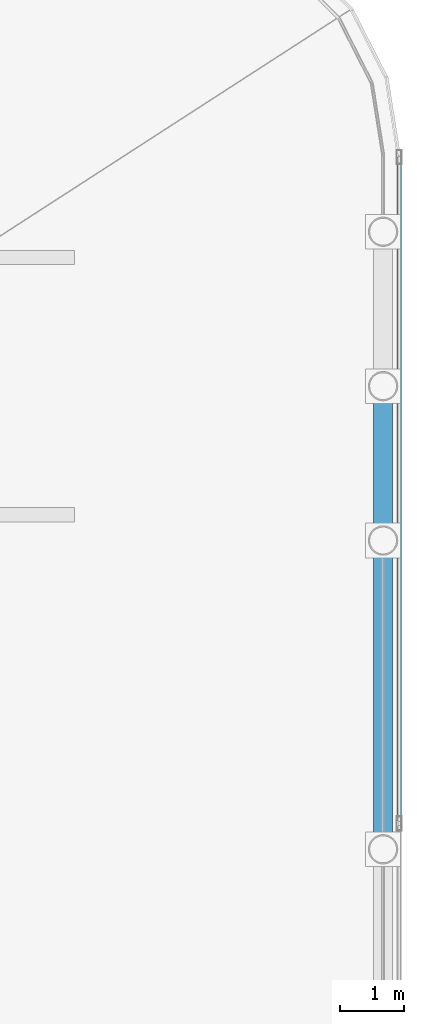
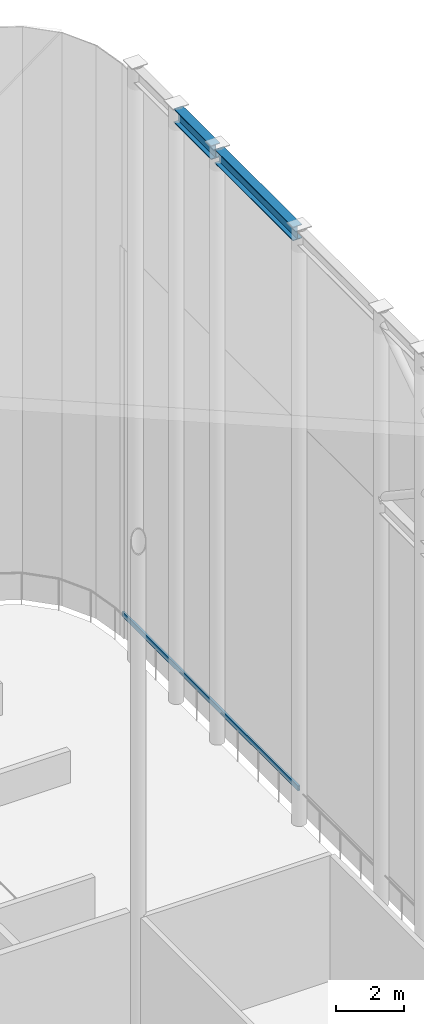
# One storey, part 23 of 42: 2 beams, 1 member, 1 element without a shape of its own.
"""IFC4 building model written with IfcOpenShell, lengths in metres."""

from ifc_helpers import new_model, si_unit, direction, frame, origin, origin_2d, place, context, subcontext, project, spatial, hollow_rectangle, i_section, extrude, material, layer, layer_set, material_profile, profile_set, type_object, element, aggregate, save


model = new_model("IFC4")

# Units and contexts
model_context = context("Model", 3, precision=1e-05, world=origin(), true_north=direction((0.0, 1.0)))
body_context = subcontext(model_context, "Body", "Model", "MODEL_VIEW")
ifc_project = project(units=[si_unit("LENGTHUNIT", "METRE"), si_unit("AREAUNIT", "SQUARE_METRE"), si_unit("VOLUMEUNIT", "CUBIC_METRE"), si_unit("PLANEANGLEUNIT", "RADIAN"), si_unit("MASSUNIT", "GRAM", prefix="KILO")], contexts=[model_context])

# Site, building, storey
site_placement = place(None, origin())
site = spatial("IfcSite", under=ifc_project, at=site_placement, CompositionType="ELEMENT")
building_placement = place(site_placement, origin())
building = spatial("IfcBuilding", under=site, at=building_placement, Name="Kallvorn Hotel Tower", CompositionType="ELEMENT")
storey_placement = place(building_placement, frame((0.0, 0.0, 306.0)))
storey = spatial("IfcBuildingStorey", under=building, at=storey_placement, Name="ROOF", CompositionType="ELEMENT", Elevation=306.0)

# Beams
ifc_material_1 = material(Name="Structural steel S355JR", Category="steel")
ifc_material_profile_1 = material_profile(ifc_material_1, i_section(OverallWidth=0.300048828125, OverallDepth=0.5, WebThickness=0.014404296875, FlangeThickness=0.028076171875, at=origin_2d()), Name="HE 500 B")
ifc_profile_set_1 = profile_set([ifc_material_profile_1], Name="Structural steel S355JR")
beam_type = type_object("IfcBeamType", Name="BM_HE500B", PredefinedType="SPANDREL", material=ifc_profile_set_1)
beam_1_placement = place(storey_placement, frame((24.0, 0.10009765625, 21.030029296875), z_axis=(0.0, 1.0, 0.0), x_axis=(-1.0, 0.0, 0.0)))
element("IfcBeam", 1, at=beam_1_placement, inside=storey, type_object=beam_type, Name="CROWN FRAME Top Ring Beam 30", PredefinedType="SPANDREL", context=body_context, shape_type="SweptSolid", body=[
    extrude(i_section(OverallWidth=0.300048828125, OverallDepth=0.5, WebThickness=0.014404296875, FlangeThickness=0.028076171875, at=origin_2d()), origin(), (0.0, 0.0, 1.0), 4.599853515625),
])
beam_2_placement = place(storey_placement, frame((24.0, 4.89990234375, 21.030029296875), z_axis=(0.0, 1.0, 0.0), x_axis=(-1.0, 0.0, 0.0)))
element("IfcBeam", 2, at=beam_2_placement, inside=storey, type_object=beam_type, Name="CROWN FRAME Top Ring Beam 31", PredefinedType="SPANDREL", context=body_context, shape_type="SweptSolid", body=[
    extrude(i_section(OverallWidth=0.300048828125, OverallDepth=0.5, WebThickness=0.014404296875, FlangeThickness=0.028076171875, at=origin_2d()), origin(), (0.0, 0.0, 1.0), 2.2001953125),
])

# Curtain wall, member
ifc_material_2 = material(Name="Thermally broken black-anodised aluminium AA 6063-T6", Category="aluminium")
ifc_layer = layer(ifc_material_2, 0.18994140625)
ifc_layer_set = layer_set([ifc_layer], Name="CW_SYS_7_CROWN_DRUM")
curtain_wall_type = type_object("IfcCurtainWallType", Name="CW_SYS_7_CROWN_DRUM", PredefinedType="USERDEFINED", material=ifc_layer_set)
curtain_wall_placement = place(storey_placement, origin())
curtain_wall = element("IfcCurtainWall", 3, at=curtain_wall_placement, inside=storey, type_object=curtain_wall_type, Name="ROOF Dark-Glass Curtain Wall CW-ROOF-E1", ObjectType="UNITISED CURTAIN WALL", PredefinedType="USERDEFINED")
ifc_material_3 = material(Name="Thermally broken black-anodised aluminium AA 6063-T6", Category="aluminium")
ifc_material_profile_2 = material_profile(ifc_material_3, hollow_rectangle(XDim=0.070068359375, YDim=0.179931640625, WallThickness=0.00390625, at=origin_2d()), Name="TRN 180x70")
ifc_profile_set_2 = profile_set([ifc_material_profile_2], Name="Thermally broken black-anodised aluminium AA 6063-T6")
member_type = type_object("IfcMemberType", Name="CW_TRANSOM_180x70", PredefinedType="USERDEFINED", material=ifc_profile_set_2)
member_placement = place(storey_placement, frame((24.25, 0.43994140625, 0.85009765625), z_axis=(0.0, 1.0, 0.0), x_axis=(-1.0, 0.0, 0.0)))
member = element("IfcMember", 4, at=member_placement, type_object=member_type, Name="CW-ROOF-E1 Transom 02M", ObjectType="TRANSOM", PredefinedType="USERDEFINED", context=body_context, shape_type="SweptSolid", body=[
    extrude(hollow_rectangle(XDim=0.070068359375, YDim=0.179931640625, WallThickness=0.00390625, at=origin_2d()), origin(), (0.0, 0.0, 1.0), 10.320068359375),
])
aggregate(curtain_wall, [member])

save(model, "model.ifc")
